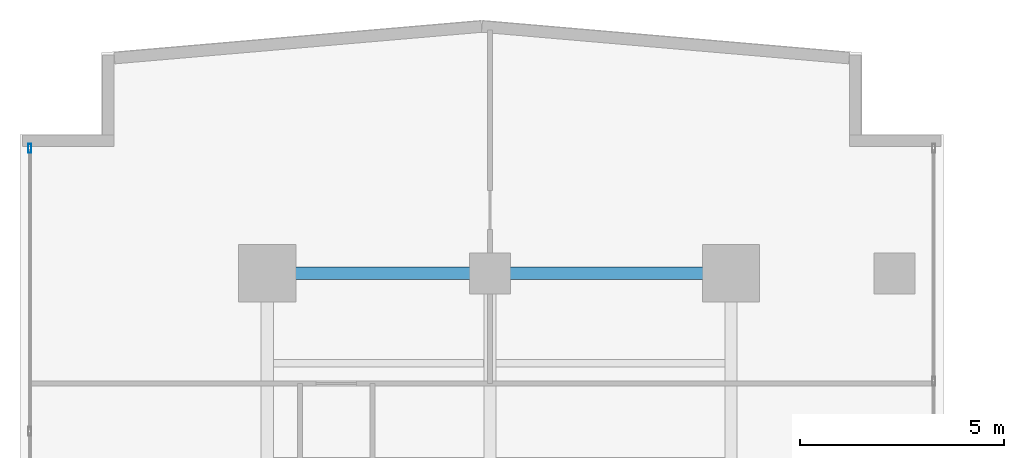
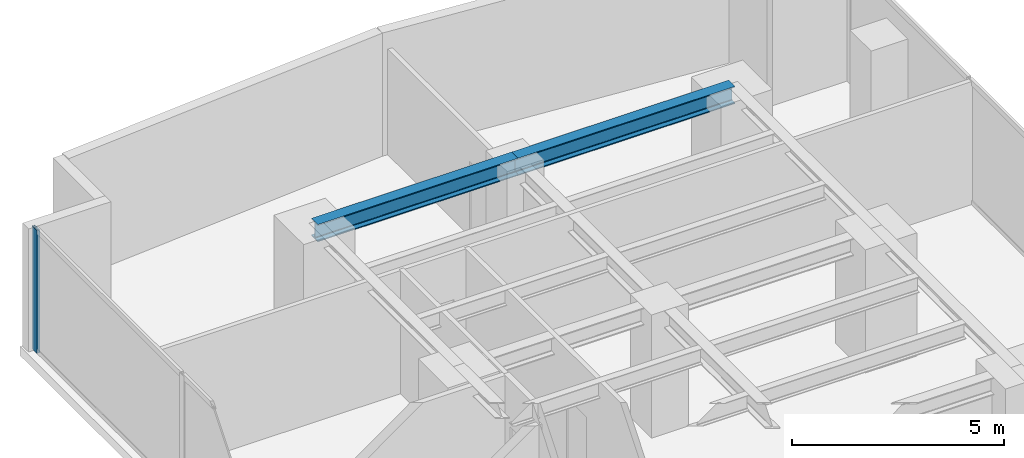
# One storey, part 17 of 28: 2 beams, 1 member, 1 element without a shape of its own.
"""IFC4 building model written with IfcOpenShell, lengths in metres."""

from ifc_helpers import new_model, si_unit, direction, frame, origin, origin_with_axes, origin_2d, place, context, subcontext, project, spatial, hollow_rectangle, i_section, extrude, source, transform, mapped, material, layer, layer_set, material_profile, profile_set, type_object, element, aggregate, save


model = new_model("IFC4")

# Units and contexts
model_context = context("Model", 3, precision=1e-05, world=origin(), true_north=direction((0.0, 1.0)))
body_context = subcontext(model_context, "Body", "Model", "MODEL_VIEW")
ifc_project = project(units=[si_unit("LENGTHUNIT", "METRE"), si_unit("AREAUNIT", "SQUARE_METRE"), si_unit("VOLUMEUNIT", "CUBIC_METRE"), si_unit("PLANEANGLEUNIT", "RADIAN"), si_unit("MASSUNIT", "GRAM", prefix="KILO")], contexts=[model_context])

# Site, building, storey
site_placement = place(None, origin())
site = spatial("IfcSite", under=ifc_project, at=site_placement, CompositionType="ELEMENT")
building_placement = place(site_placement, origin())
building = spatial("IfcBuilding", under=site, at=building_placement, Name="Kolvaren Waterfront Exchange", CompositionType="ELEMENT")
storey_placement = place(building_placement, frame((0.0, 0.0, 103.10009765625)))
storey = spatial("IfcBuildingStorey", under=building, at=storey_placement, Name="L26", CompositionType="ELEMENT", Elevation=103.10009765625)

# Beams
ifc_material_1 = material(Name="Steel S355", Category="steel")
ifc_material_profile_1 = material_profile(ifc_material_1, i_section(OverallWidth=0.300048828125, OverallDepth=0.5, WebThickness=0.014404296875, FlangeThickness=0.028076171875, FilletRadius=0.027099609375, at=origin_2d()), Name="HEB500")
ifc_profile_set_1 = profile_set([ifc_material_profile_1], Name="Steel S355")
beam_type = type_object("IfcBeamType", Name="STR-BM-HEB500", PredefinedType="BEAM", material=ifc_profile_set_1)
beam_1_placement = place(storey_placement, frame((7.449951171875, 44.60009765625, 3.289794921875), z_axis=(1.0, 0.0, 0.0), x_axis=(0.0, 1.0, 0.0)))
element("IfcBeam", 1, at=beam_1_placement, inside=storey, type_object=beam_type, Name="L26 north-arm girder 4A", PredefinedType="BEAM", context=body_context, shape_type="SweptSolid", body=[
    extrude(i_section(OverallWidth=0.300048828125, OverallDepth=0.5, WebThickness=0.014404296875, FlangeThickness=0.028076171875, FilletRadius=0.027099609375, at=origin_2d()), origin(), (0.0, 0.0, 1.0), 5.449951171875),
])
beam_2_placement = place(storey_placement, frame((12.89990234375, 44.60009765625, 3.289794921875), z_axis=(1.0, 0.0, 0.0), x_axis=(0.0, 1.0, 0.0)))
element("IfcBeam", 2, at=beam_2_placement, inside=storey, type_object=beam_type, Name="L26 north-arm girder 4B", PredefinedType="BEAM", context=body_context, shape_type="SweptSolid", body=[
    extrude(i_section(OverallWidth=0.300048828125, OverallDepth=0.5, WebThickness=0.014404296875, FlangeThickness=0.028076171875, FilletRadius=0.027099609375, at=origin_2d()), origin(), (0.0, 0.0, 1.0), 5.900146484375),
])

# Curtain wall, member
ifc_material_2 = material(Name="Anodised aluminium 6063-T6", Category="aluminium")
ifc_layer = layer(ifc_material_2, 0.219970703125, Name="Anodised aluminium 6063-T6")
ifc_layer_set = layer_set([ifc_layer], Name="Anodised aluminium 6063-T6")
curtain_wall_type = type_object("IfcCurtainWallType", Name="ARC-CW-SYS2", PredefinedType="USERDEFINED", material=ifc_layer_set)
curtain_wall_placement = place(storey_placement, origin())
curtain_wall = element("IfcCurtainWall", 3, at=curtain_wall_placement, inside=storey, type_object=curtain_wall_type, Name="L26 stick curtain wall CW2 (CW-L26-W)", ObjectType="STICK CURTAIN WALL", PredefinedType="USERDEFINED")
ifc_material_profile_2 = material_profile(ifc_material_2, hollow_rectangle(XDim=0.080078125, YDim=0.219970703125, WallThickness=0.0048828125, at=origin_2d()), Name="ALU-MUL-220x80x5")
ifc_profile_set_2 = profile_set([ifc_material_profile_2], Name="Anodised aluminium 6063-T6")
member_type = type_object("IfcMemberType", Name="ARC-CWM-220", PredefinedType="MULLION", material=ifc_profile_set_2)
shared_shape = source(origin_with_axes(), body_context, "Body", "SweptSolid", [
    extrude(hollow_rectangle(XDim=0.080078125, YDim=0.219970703125, WallThickness=0.0048828125, at=origin_2d()), origin(), (0.0, 0.0, 1.0), 3.539794921875),
])
member_placement = place(storey_placement, frame((1.639892578125, 47.659912109375, 0.0), z_axis=(0.0, 0.0, 1.0), x_axis=(-1.0, 0.0, 0.0)))
member = element("IfcMember", 4, at=member_placement, type_object=member_type, Name="CW2 mullion 7", PredefinedType="MULLION", context=body_context, shape_type="MappedRepresentation", body=[
    mapped(shared_shape, transform((0.0, 0.0, 0.0), x_axis=(1.0, 0.0, 0.0), y_axis=(0.0, 1.0, 0.0), z_axis=(0.0, 0.0, 1.0), scale=1.0)),
])
aggregate(curtain_wall, [member])

save(model, "model.ifc")
